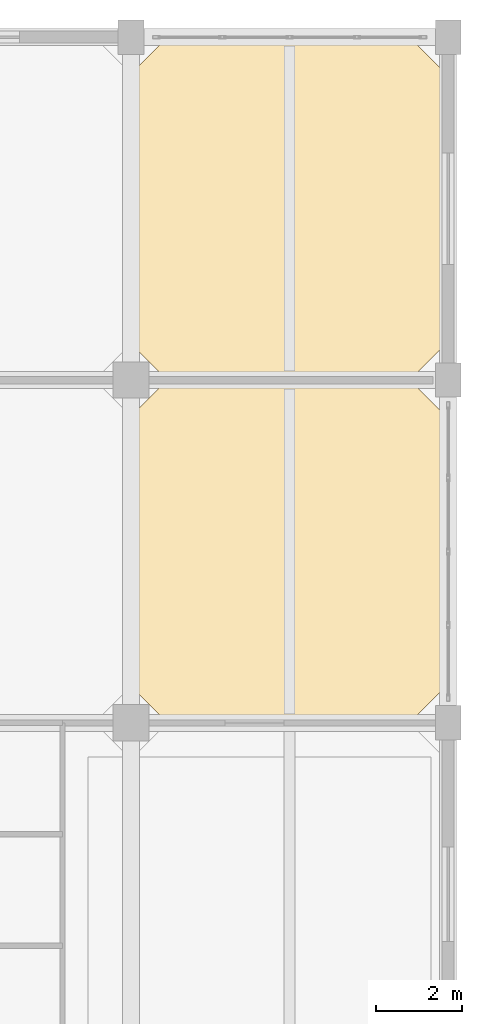
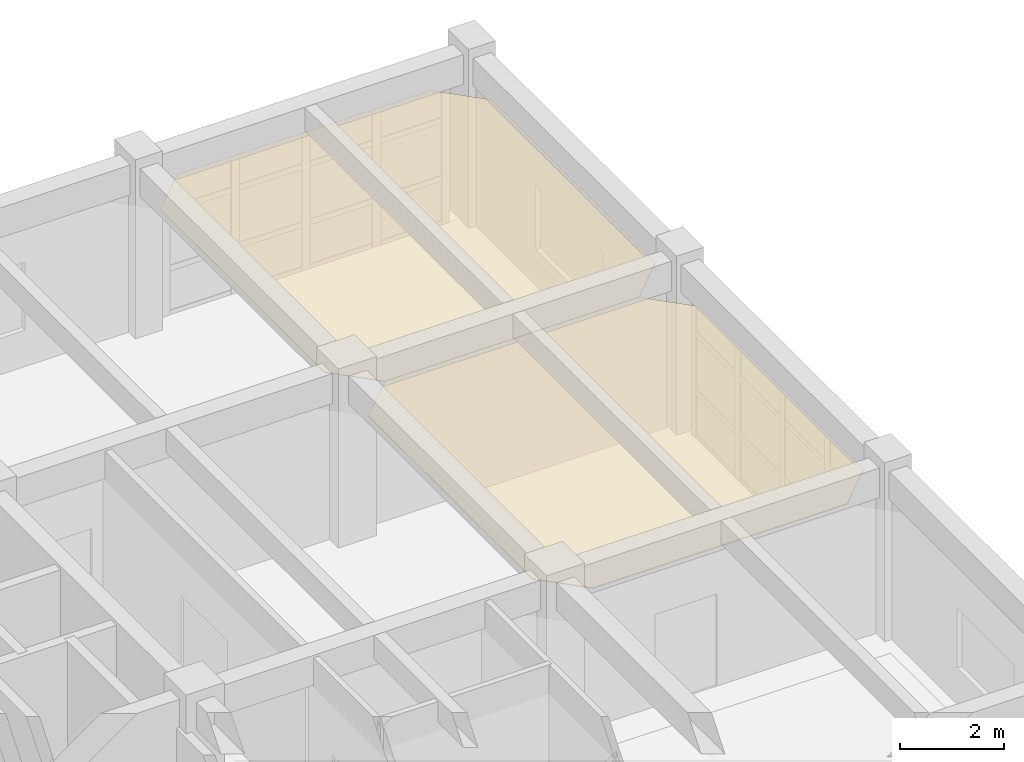
# One storey, part 30 of 30: 2 coverings.
"""IFC4 building model written with IfcOpenShell, lengths in metres."""

from ifc_helpers import new_model, si_unit, direction, frame, origin, place, context, subcontext, project, spatial, polyline, outline, extrude, material, layer, layer_set, type_object, element, save


model = new_model("IFC4")

# Units and contexts
model_context = context("Model", 3, precision=1e-05, world=origin(), true_north=direction((0.0, 1.0)))
body_context = subcontext(model_context, "Body", "Model", "MODEL_VIEW")
ifc_project = project(units=[si_unit("LENGTHUNIT", "METRE"), si_unit("AREAUNIT", "SQUARE_METRE"), si_unit("VOLUMEUNIT", "CUBIC_METRE"), si_unit("PLANEANGLEUNIT", "RADIAN"), si_unit("MASSUNIT", "GRAM", prefix="KILO")], contexts=[model_context])

# Site, building, storey
site_placement = place(None, origin())
site = spatial("IfcSite", under=ifc_project, at=site_placement, CompositionType="ELEMENT")
building_placement = place(site_placement, origin())
building = spatial("IfcBuilding", under=site, at=building_placement, Name="Canggui Botanical Conservatory", CompositionType="ELEMENT")
storey_placement = place(building_placement, frame((0.0, 0.0, 27.60009765625)))
storey = spatial("IfcBuildingStorey", under=building, at=storey_placement, Name="L07", CompositionType="ELEMENT", Elevation=27.60009765625)

# Coverings
ifc_material_1 = material(Name="Mineral Fibre Acoustic Board")
ifc_layer_1 = layer(ifc_material_1, 0.014892578125, Name="Mineral Fibre Acoustic Board")
ifc_layer_set_1 = layer_set([ifc_layer_1], Name="Mineral Fibre Acoustic Board")
covering_type_1 = type_object("IfcCoveringType", Name="COV-CEIL-15", PredefinedType="CEILING", material=ifc_layer_set_1)
covering_1_placement = place(storey_placement, frame((0.0, 0.0, 3.19482421875)))
element("IfcCovering", 1, at=covering_1_placement, inside=storey, type_object=covering_type_1, Name="Suspended Acoustic Ceiling L07-170-66", PredefinedType="CEILING", context=body_context, shape_type="SweptSolid", body=[
    extrude(outline(polyline([(170.85009765625, 66.0), (176.5, 66.0), (177.35009765625, 66.85009765625), (177.35009765625, 73.14990234375), (176.5, 74.0), (170.85009765625, 74.0), (170.0, 73.14990234375), (170.0, 66.85009765625), (170.85009765625, 66.0)])), origin(), (0.0, 0.0, 1.0), 0.01513671875),
])
ifc_material_2 = material(Name="Perforated Gypsum Acoustic Panel")
ifc_layer_2 = layer(ifc_material_2, 0.02001953125, Name="Perforated Gypsum Acoustic Panel")
ifc_layer_set_2 = layer_set([ifc_layer_2], Name="Perforated Gypsum Acoustic Panel")
covering_type_2 = type_object("IfcCoveringType", Name="COV-CEIL-20", PredefinedType="CEILING", material=ifc_layer_set_2)
covering_2_placement = place(storey_placement, frame((0.0, 0.0, 3.18994140625)))
element("IfcCovering", 2, at=covering_2_placement, inside=storey, type_object=covering_type_2, Name="Suspended Acoustic Ceiling L07-170-58", PredefinedType="CEILING", context=body_context, shape_type="SweptSolid", body=[
    extrude(outline(polyline([(170.85009765625, 58.0), (176.5, 58.0), (177.35009765625, 58.85009765625), (177.35009765625, 65.14990234375), (176.5, 66.0), (170.85009765625, 66.0), (170.0, 65.14990234375), (170.0, 58.85009765625), (170.85009765625, 58.0)])), origin(), (0.0, 0.0, 1.0), 0.02001953125),
])

save(model, "model.ifc")
